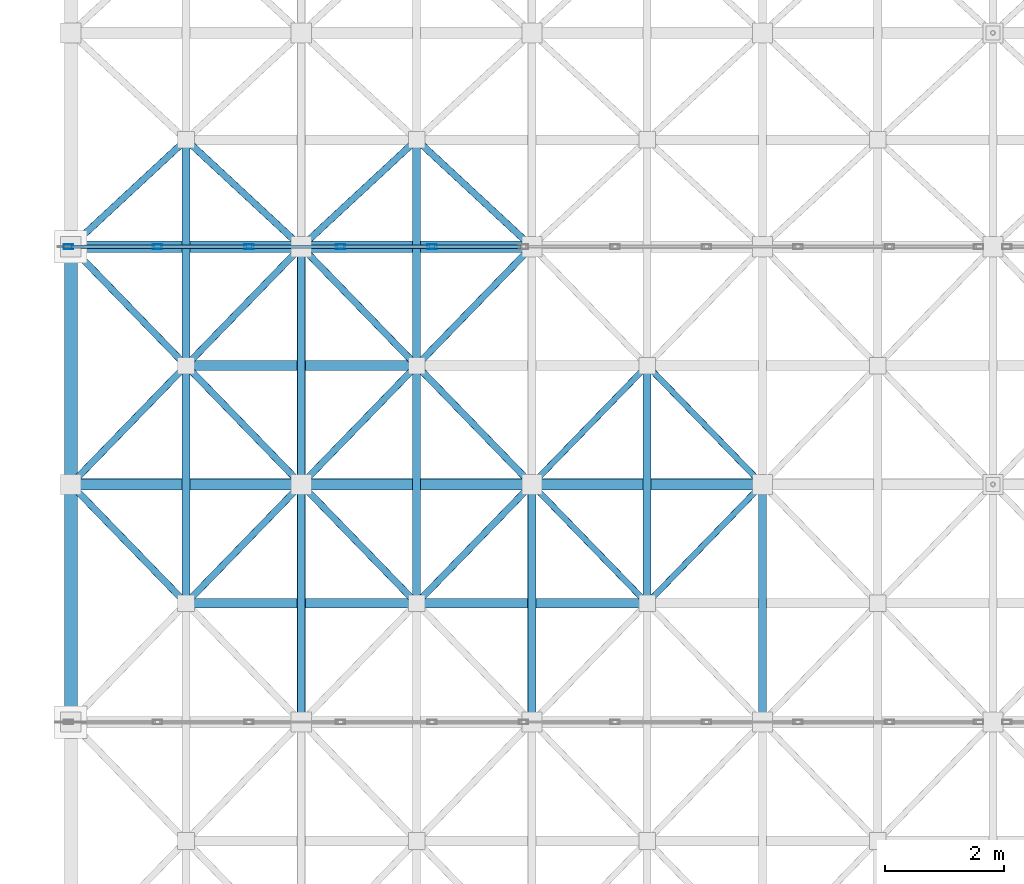
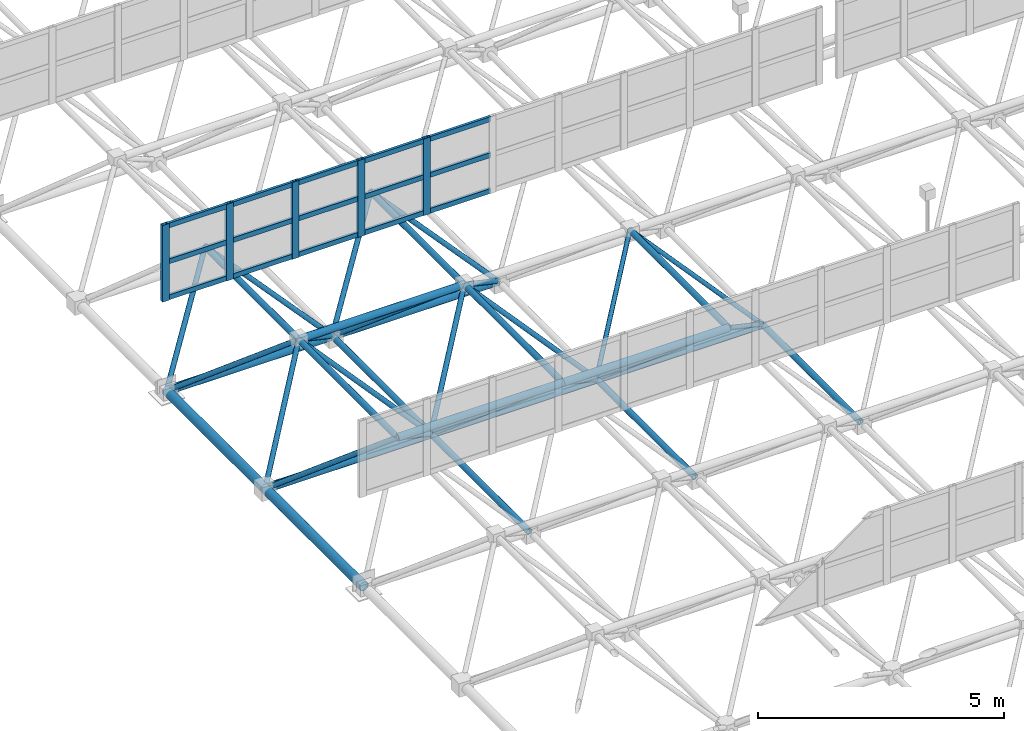
# One storey, part 84 of 195: 59 members, 1 element without a shape of its own.
"""IFC4 building model written with IfcOpenShell, lengths in metres."""

from ifc_helpers import new_model, si_unit, direction, frame, origin, origin_2d, place, context, subcontext, project, spatial, hollow_rectangle, hollow_circle, extrude, material, material_profile, profile_set, type_object, element, aggregate, save


model = new_model("IFC4")

# Units and contexts
model_context = context("Model", 3, precision=1e-05, world=origin(), true_north=direction((0.0, 1.0)))
body_context = subcontext(model_context, "Body", "Model", "MODEL_VIEW")
ifc_project = project(units=[si_unit("LENGTHUNIT", "METRE"), si_unit("AREAUNIT", "SQUARE_METRE"), si_unit("VOLUMEUNIT", "CUBIC_METRE"), si_unit("PLANEANGLEUNIT", "RADIAN"), si_unit("MASSUNIT", "GRAM", prefix="KILO")], contexts=[model_context])

# Site, building, storey
site_placement = place(None, origin())
site = spatial("IfcSite", under=ifc_project, at=site_placement, CompositionType="ELEMENT")
building_placement = place(site_placement, origin())
building = spatial("IfcBuilding", under=site, at=building_placement, Name="Kharva Crest Polytechnic", CompositionType="ELEMENT")
storey_placement = place(building_placement, frame((0.0, 0.0, 9.0)))
storey = spatial("IfcBuildingStorey", under=building, at=storey_placement, Name="L02", CompositionType="ELEMENT", Elevation=9.0)

# Curtain wall, members
ifc_material_1 = material(Name="Tempered insulated glass", Category="glass")
curtain_wall_type = type_object("IfcCurtainWallType", Name="CW-SYS-NORTHLIGHT", PredefinedType="USERDEFINED", material=ifc_material_1)
curtain_wall_placement = place(storey_placement, origin())
curtain_wall = element("IfcCurtainWall", 1, at=curtain_wall_placement, inside=storey, type_object=curtain_wall_type, Name="L02 Glazed Curtain Wall CW-197", ObjectType="CURTAIN WALL", PredefinedType="USERDEFINED")
ifc_material_2 = material(Name="Steel S355", Category="steel")
ifc_material_profile_1 = material_profile(ifc_material_2, hollow_rectangle(XDim=0.080078125, YDim=0.159912109375, WallThickness=0.0048828125, at=origin_2d()), Name="RHS 160X80X5.0")
ifc_profile_set_1 = profile_set([ifc_material_profile_1], Name="Steel S355")
member_type_1 = type_object("IfcMemberType", Name="CWM-RHS160X80", PredefinedType="MULLION", material=ifc_profile_set_1)
member_1_placement = place(storey_placement, frame((0.43994140625, 78.800048828125, 2.85009765625), z_axis=(0.0, 0.0, 1.0), x_axis=(0.0, 1.0, 0.0)))
member_1 = element("IfcMember", 2, at=member_1_placement, type_object=member_type_1, Name="CW-197 mullion 1", PredefinedType="MULLION", context=body_context, shape_type="SweptSolid", body=[
    extrude(hollow_rectangle(XDim=0.080078125, YDim=0.159912109375, WallThickness=0.0048828125, at=origin_2d()), origin(), (0.0, 0.0, 1.0), 1.89990234375),
])
member_2_placement = place(storey_placement, frame((1.93994140625, 78.800048828125, 2.85009765625), z_axis=(0.0, 0.0, 1.0), x_axis=(0.0, 1.0, 0.0)))
member_2 = element("IfcMember", 3, at=member_2_placement, type_object=member_type_1, Name="CW-197 mullion 2", PredefinedType="MULLION", context=body_context, shape_type="SweptSolid", body=[
    extrude(hollow_rectangle(XDim=0.080078125, YDim=0.159912109375, WallThickness=0.0048828125, at=origin_2d()), origin(), (0.0, 0.0, 1.0), 1.89990234375),
])
member_3_placement = place(storey_placement, frame((3.47998046875, 78.800048828125, 2.85009765625), z_axis=(0.0, 0.0, 1.0), x_axis=(0.0, 1.0, 0.0)))
member_3 = element("IfcMember", 4, at=member_3_placement, type_object=member_type_1, Name="CW-197 mullion 3", PredefinedType="MULLION", context=body_context, shape_type="SweptSolid", body=[
    extrude(hollow_rectangle(XDim=0.080078125, YDim=0.159912109375, WallThickness=0.0048828125, at=origin_2d()), origin(), (0.0, 0.0, 1.0), 1.89990234375),
])
member_4_placement = place(storey_placement, frame((5.02001953125, 78.800048828125, 2.85009765625), z_axis=(0.0, 0.0, 1.0), x_axis=(0.0, 1.0, 0.0)))
member_4 = element("IfcMember", 5, at=member_4_placement, type_object=member_type_1, Name="CW-197 mullion 4", PredefinedType="MULLION", context=body_context, shape_type="SweptSolid", body=[
    extrude(hollow_rectangle(XDim=0.080078125, YDim=0.159912109375, WallThickness=0.0048828125, at=origin_2d()), origin(), (0.0, 0.0, 1.0), 1.89990234375),
])
member_5_placement = place(storey_placement, frame((6.56005859375, 78.800048828125, 2.85009765625), z_axis=(0.0, 0.0, 1.0), x_axis=(0.0, 1.0, 0.0)))
member_5 = element("IfcMember", 6, at=member_5_placement, type_object=member_type_1, Name="CW-197 mullion 5", PredefinedType="MULLION", context=body_context, shape_type="SweptSolid", body=[
    extrude(hollow_rectangle(XDim=0.080078125, YDim=0.159912109375, WallThickness=0.0048828125, at=origin_2d()), origin(), (0.0, 0.0, 1.0), 1.89990234375),
])
ifc_material_profile_2 = material_profile(ifc_material_2, hollow_rectangle(XDim=0.06005859375, YDim=0.1201171875, WallThickness=0.00390625, at=origin_2d()), Name="RHS 120X60X4.0")
ifc_profile_set_2 = profile_set([ifc_material_profile_2], Name="Steel S355")
member_type_2 = type_object("IfcMemberType", Name="CWT-RHS120X60", PredefinedType="USERDEFINED", material=ifc_profile_set_2)
member_6_placement = place(storey_placement, frame((0.47998046875, 78.800048828125, 2.909912109375), z_axis=(1.0, 0.0, 0.0), x_axis=(0.0, 1.0, 0.0)))
member_6 = element("IfcMember", 7, at=member_6_placement, type_object=member_type_2, Name="CW-197 transom 1.1", ObjectType="TRANSOM", PredefinedType="USERDEFINED", context=body_context, shape_type="SweptSolid", body=[
    extrude(hollow_rectangle(XDim=0.06005859375, YDim=0.1201171875, WallThickness=0.00390625, at=origin_2d()), origin(), (0.0, 0.0, 1.0), 1.419921875),
])
member_7_placement = place(storey_placement, frame((0.47998046875, 78.800048828125, 3.800048828125), z_axis=(1.0, 0.0, 0.0), x_axis=(0.0, 1.0, 0.0)))
member_7 = element("IfcMember", 8, at=member_7_placement, type_object=member_type_2, Name="CW-197 transom 1.2", ObjectType="TRANSOM", PredefinedType="USERDEFINED", context=body_context, shape_type="SweptSolid", body=[
    extrude(hollow_rectangle(XDim=0.06005859375, YDim=0.1201171875, WallThickness=0.00390625, at=origin_2d()), origin(), (0.0, 0.0, 1.0), 1.419921875),
])
member_8_placement = place(storey_placement, frame((0.47998046875, 78.800048828125, 4.68994140625), z_axis=(1.0, 0.0, 0.0), x_axis=(0.0, 1.0, 0.0)))
member_8 = element("IfcMember", 9, at=member_8_placement, type_object=member_type_2, Name="CW-197 transom 1.3", ObjectType="TRANSOM", PredefinedType="USERDEFINED", context=body_context, shape_type="SweptSolid", body=[
    extrude(hollow_rectangle(XDim=0.06005859375, YDim=0.1201171875, WallThickness=0.00390625, at=origin_2d()), origin(), (0.0, 0.0, 1.0), 1.419921875),
])
member_9_placement = place(storey_placement, frame((1.97998046875, 78.800048828125, 2.909912109375), z_axis=(1.0, 0.0, 0.0), x_axis=(0.0, 1.0, 0.0)))
member_9 = element("IfcMember", 10, at=member_9_placement, type_object=member_type_2, Name="CW-197 transom 2.1", ObjectType="TRANSOM", PredefinedType="USERDEFINED", context=body_context, shape_type="SweptSolid", body=[
    extrude(hollow_rectangle(XDim=0.06005859375, YDim=0.1201171875, WallThickness=0.00390625, at=origin_2d()), origin(), (0.0, 0.0, 1.0), 1.4599609375),
])
member_10_placement = place(storey_placement, frame((1.97998046875, 78.800048828125, 3.800048828125), z_axis=(1.0, 0.0, 0.0), x_axis=(0.0, 1.0, 0.0)))
member_10 = element("IfcMember", 11, at=member_10_placement, type_object=member_type_2, Name="CW-197 transom 2.2", ObjectType="TRANSOM", PredefinedType="USERDEFINED", context=body_context, shape_type="SweptSolid", body=[
    extrude(hollow_rectangle(XDim=0.06005859375, YDim=0.1201171875, WallThickness=0.00390625, at=origin_2d()), origin(), (0.0, 0.0, 1.0), 1.4599609375),
])
member_11_placement = place(storey_placement, frame((1.97998046875, 78.800048828125, 4.68994140625), z_axis=(1.0, 0.0, 0.0), x_axis=(0.0, 1.0, 0.0)))
member_11 = element("IfcMember", 12, at=member_11_placement, type_object=member_type_2, Name="CW-197 transom 2.3", ObjectType="TRANSOM", PredefinedType="USERDEFINED", context=body_context, shape_type="SweptSolid", body=[
    extrude(hollow_rectangle(XDim=0.06005859375, YDim=0.1201171875, WallThickness=0.00390625, at=origin_2d()), origin(), (0.0, 0.0, 1.0), 1.4599609375),
])
member_12_placement = place(storey_placement, frame((3.52001953125, 78.800048828125, 2.909912109375), z_axis=(1.0, 0.0, 0.0), x_axis=(0.0, 1.0, 0.0)))
member_12 = element("IfcMember", 13, at=member_12_placement, type_object=member_type_2, Name="CW-197 transom 3.1", ObjectType="TRANSOM", PredefinedType="USERDEFINED", context=body_context, shape_type="SweptSolid", body=[
    extrude(hollow_rectangle(XDim=0.06005859375, YDim=0.1201171875, WallThickness=0.00390625, at=origin_2d()), origin(), (0.0, 0.0, 1.0), 1.4599609375),
])
member_13_placement = place(storey_placement, frame((3.52001953125, 78.800048828125, 3.800048828125), z_axis=(1.0, 0.0, 0.0), x_axis=(0.0, 1.0, 0.0)))
member_13 = element("IfcMember", 14, at=member_13_placement, type_object=member_type_2, Name="CW-197 transom 3.2", ObjectType="TRANSOM", PredefinedType="USERDEFINED", context=body_context, shape_type="SweptSolid", body=[
    extrude(hollow_rectangle(XDim=0.06005859375, YDim=0.1201171875, WallThickness=0.00390625, at=origin_2d()), origin(), (0.0, 0.0, 1.0), 1.4599609375),
])
member_14_placement = place(storey_placement, frame((3.52001953125, 78.800048828125, 4.68994140625), z_axis=(1.0, 0.0, 0.0), x_axis=(0.0, 1.0, 0.0)))
member_14 = element("IfcMember", 15, at=member_14_placement, type_object=member_type_2, Name="CW-197 transom 3.3", ObjectType="TRANSOM", PredefinedType="USERDEFINED", context=body_context, shape_type="SweptSolid", body=[
    extrude(hollow_rectangle(XDim=0.06005859375, YDim=0.1201171875, WallThickness=0.00390625, at=origin_2d()), origin(), (0.0, 0.0, 1.0), 1.4599609375),
])
member_15_placement = place(storey_placement, frame((5.06005859375, 78.800048828125, 2.909912109375), z_axis=(1.0, 0.0, 0.0), x_axis=(0.0, 1.0, 0.0)))
member_15 = element("IfcMember", 16, at=member_15_placement, type_object=member_type_2, Name="CW-197 transom 4.1", ObjectType="TRANSOM", PredefinedType="USERDEFINED", context=body_context, shape_type="SweptSolid", body=[
    extrude(hollow_rectangle(XDim=0.06005859375, YDim=0.1201171875, WallThickness=0.00390625, at=origin_2d()), origin(), (0.0, 0.0, 1.0), 1.4599609375),
])
member_16_placement = place(storey_placement, frame((5.06005859375, 78.800048828125, 3.800048828125), z_axis=(1.0, 0.0, 0.0), x_axis=(0.0, 1.0, 0.0)))
member_16 = element("IfcMember", 17, at=member_16_placement, type_object=member_type_2, Name="CW-197 transom 4.2", ObjectType="TRANSOM", PredefinedType="USERDEFINED", context=body_context, shape_type="SweptSolid", body=[
    extrude(hollow_rectangle(XDim=0.06005859375, YDim=0.1201171875, WallThickness=0.00390625, at=origin_2d()), origin(), (0.0, 0.0, 1.0), 1.4599609375),
])
member_17_placement = place(storey_placement, frame((5.06005859375, 78.800048828125, 4.68994140625), z_axis=(1.0, 0.0, 0.0), x_axis=(0.0, 1.0, 0.0)))
member_17 = element("IfcMember", 18, at=member_17_placement, type_object=member_type_2, Name="CW-197 transom 4.3", ObjectType="TRANSOM", PredefinedType="USERDEFINED", context=body_context, shape_type="SweptSolid", body=[
    extrude(hollow_rectangle(XDim=0.06005859375, YDim=0.1201171875, WallThickness=0.00390625, at=origin_2d()), origin(), (0.0, 0.0, 1.0), 1.4599609375),
])
member_18_placement = place(storey_placement, frame((6.60009765625, 78.800048828125, 2.909912109375), z_axis=(1.0, 0.0, 0.0), x_axis=(0.0, 1.0, 0.0)))
member_18 = element("IfcMember", 19, at=member_18_placement, type_object=member_type_2, Name="CW-197 transom 5.1", ObjectType="TRANSOM", PredefinedType="USERDEFINED", context=body_context, shape_type="SweptSolid", body=[
    extrude(hollow_rectangle(XDim=0.06005859375, YDim=0.1201171875, WallThickness=0.00390625, at=origin_2d()), origin(), (0.0, 0.0, 1.0), 1.4599609375),
])
member_19_placement = place(storey_placement, frame((6.60009765625, 78.800048828125, 3.800048828125), z_axis=(1.0, 0.0, 0.0), x_axis=(0.0, 1.0, 0.0)))
member_19 = element("IfcMember", 20, at=member_19_placement, type_object=member_type_2, Name="CW-197 transom 5.2", ObjectType="TRANSOM", PredefinedType="USERDEFINED", context=body_context, shape_type="SweptSolid", body=[
    extrude(hollow_rectangle(XDim=0.06005859375, YDim=0.1201171875, WallThickness=0.00390625, at=origin_2d()), origin(), (0.0, 0.0, 1.0), 1.4599609375),
])
member_20_placement = place(storey_placement, frame((6.60009765625, 78.800048828125, 4.68994140625), z_axis=(1.0, 0.0, 0.0), x_axis=(0.0, 1.0, 0.0)))
member_20 = element("IfcMember", 21, at=member_20_placement, type_object=member_type_2, Name="CW-197 transom 5.3", ObjectType="TRANSOM", PredefinedType="USERDEFINED", context=body_context, shape_type="SweptSolid", body=[
    extrude(hollow_rectangle(XDim=0.06005859375, YDim=0.1201171875, WallThickness=0.00390625, at=origin_2d()), origin(), (0.0, 0.0, 1.0), 1.4599609375),
])
aggregate(curtain_wall, [member_1, member_2, member_3, member_4, member_5, member_6, member_7, member_8, member_9, member_10, member_11, member_12, member_13, member_14, member_15, member_16, member_17, member_18, member_19, member_20])

# Members
ifc_material_profile_3 = material_profile(ifc_material_2, hollow_circle(Radius=0.05078125, WallThickness=0.0048828125, at=origin_2d()), Name="CHS 101.6X5.0")
ifc_profile_set_3 = profile_set([ifc_material_profile_3], Name="Steel S355")
member_type_3 = type_object("IfcMemberType", Name="MEM-CHS101", PredefinedType="BRACE", material=ifc_profile_set_3)
for number, where, z_axis, x_axis, name in (
    (22, (8.239990234375, 74.800048828125, 0.60009765625), (0.584843378742, -0.602949529154, 0.542595694449), (0.717802189577, 0.696247094528, 0.0), "Space Frame Web Diagonal 595"),
    (23, (12.1201171875, 74.800048828125, 0.60009765625), (-0.584891802813, -0.602923574763, 0.542572338032), (0.717758400015, -0.696292236929, 0.0), "Space Frame Web Diagonal 596"),
    (24, (8.239990234375, 74.800048828125, 0.60009765625), (0.584843378742, 0.602949529154, 0.542595694449), (-0.717802189577, 0.696247094528, 0.0), "Space Frame Web Diagonal 597"),
    (25, (12.1201171875, 74.800048828125, 0.60009765625), (-0.584891802813, 0.602923574763, 0.542572338032), (-0.717758400015, -0.696292236929, 0.0), "Space Frame Web Diagonal 598"),
):
    element("IfcMember", number, at=place(storey_placement, frame(where, z_axis=z_axis, x_axis=x_axis)), inside=storey, type_object=member_type_3, Name=name, PredefinedType="BRACE", context=body_context, shape_type="SweptSolid", body=[
        extrude(hollow_circle(Radius=0.05078125, WallThickness=0.0048828125, at=origin_2d()), origin(), (0.0, 0.0, 1.0), 3.317138671875),
    ])
ifc_material_profile_4 = material_profile(ifc_material_2, hollow_circle(Radius=0.05712890625, WallThickness=0.00634765625, at=origin_2d()), Name="CHS 114.3X6.3")
ifc_profile_set_4 = profile_set([ifc_material_profile_4], Name="Steel S355")
member_type_4 = type_object("IfcMemberType", Name="MEM-CHS114", PredefinedType="BRACE", material=ifc_profile_set_4)
for number, where, z_axis, x_axis, name in (
    (26, (0.47998046875, 74.800048828125, 0.60009765625), (0.584843378742, -0.602949529154, 0.542595694449), (0.717802189577, 0.696247094528, 0.0), "Space Frame Web Diagonal 483"),
    (27, (4.360107421875, 74.800048828125, 0.60009765625), (-0.584891802813, -0.602923574763, 0.542572338032), (0.717758400015, -0.696292236929, 0.0), "Space Frame Web Diagonal 484"),
    (28, (0.47998046875, 74.800048828125, 0.60009765625), (0.584843378742, 0.602949529154, 0.542595694449), (-0.717802189577, 0.696247094528, 0.0), "Space Frame Web Diagonal 485"),
    (29, (4.360107421875, 74.800048828125, 0.60009765625), (-0.584891802813, 0.602923574763, 0.542572338032), (-0.717758400015, -0.696292236929, 0.0), "Space Frame Web Diagonal 486"),
    (30, (0.47998046875, 78.800048828125, 0.60009765625), (0.584843378742, -0.602949529154, 0.542595694449), (0.717802189577, 0.696247094528, 0.0), "Space Frame Web Diagonal 487"),
    (31, (4.360107421875, 78.800048828125, 0.60009765625), (-0.584891802813, -0.602923574763, 0.542572338032), (0.717758400015, -0.696292236929, 0.0), "Space Frame Web Diagonal 488"),
):
    element("IfcMember", number, at=place(storey_placement, frame(where, z_axis=z_axis, x_axis=x_axis)), inside=storey, type_object=member_type_4, Name=name, PredefinedType="BRACE", context=body_context, shape_type="SweptSolid", body=[
        extrude(hollow_circle(Radius=0.05712890625, WallThickness=0.00634765625, at=origin_2d()), origin(), (0.0, 0.0, 1.0), 3.317138671875),
    ])
member_21_placement = place(storey_placement, frame((0.47998046875, 78.800048828125, 0.60009765625), z_axis=(0.606147481159, 0.562437122903, 0.562360839555), x_axis=(-0.680182129432, 0.73304315753, 0.0)))
element("IfcMember", 32, at=member_21_placement, inside=storey, type_object=member_type_4, Name="Space Frame Web Diagonal 489", PredefinedType="BRACE", context=body_context, shape_type="SweptSolid", body=[
    extrude(hollow_circle(Radius=0.05712890625, WallThickness=0.00634765625, at=origin_2d()), origin(), (0.0, 0.0, 1.0), 3.200439453125),
])
member_22_placement = place(storey_placement, frame((4.360107421875, 78.800048828125, 0.60009765625), z_axis=(-0.606195733531, 0.562411116563, 0.562334836743), x_axis=(-0.680136133543, -0.733085833889, 0.0)))
element("IfcMember", 33, at=member_22_placement, inside=storey, type_object=member_type_4, Name="Space Frame Web Diagonal 490", PredefinedType="BRACE", context=body_context, shape_type="SweptSolid", body=[
    extrude(hollow_circle(Radius=0.05712890625, WallThickness=0.00634765625, at=origin_2d()), origin(), (0.0, 0.0, 1.0), 3.20068359375),
])
for number, where, z_axis, x_axis, name in (
    (34, (4.360107421875, 74.800048828125, 0.60009765625), (0.584843378742, -0.602949529154, 0.542595694449), (0.717802189577, 0.696247094528, 0.0), "Space Frame Web Diagonal 539"),
    (35, (8.239990234375, 74.800048828125, 0.60009765625), (-0.584843378742, -0.602949529154, 0.542595694449), (0.717802189577, -0.696247094528, 0.0), "Space Frame Web Diagonal 540"),
    (36, (4.360107421875, 74.800048828125, 0.60009765625), (0.584843378742, 0.602949529154, 0.542595694449), (-0.717802189577, 0.696247094528, 0.0), "Space Frame Web Diagonal 541"),
    (37, (8.239990234375, 74.800048828125, 0.60009765625), (-0.584843378742, 0.602949529154, 0.542595694449), (-0.717802189577, -0.696247094528, 0.0), "Space Frame Web Diagonal 542"),
    (38, (4.360107421875, 78.800048828125, 0.60009765625), (0.584843378742, -0.602949529154, 0.542595694449), (0.717802189577, 0.696247094528, 0.0), "Space Frame Web Diagonal 543"),
    (39, (8.239990234375, 78.800048828125, 0.60009765625), (-0.584843378742, -0.602949529154, 0.542595694449), (0.717802189577, -0.696247094528, 0.0), "Space Frame Web Diagonal 544"),
):
    element("IfcMember", number, at=place(storey_placement, frame(where, z_axis=z_axis, x_axis=x_axis)), inside=storey, type_object=member_type_4, Name=name, PredefinedType="BRACE", context=body_context, shape_type="SweptSolid", body=[
        extrude(hollow_circle(Radius=0.05712890625, WallThickness=0.00634765625, at=origin_2d()), origin(), (0.0, 0.0, 1.0), 3.317138671875),
    ])
for number, where, z_axis, x_axis, name in (
    (40, (4.360107421875, 78.800048828125, 0.60009765625), (0.606147481159, 0.562437122903, 0.562360839555), (-0.680182129432, 0.73304315753, 0.0), "Space Frame Web Diagonal 545"),
    (41, (8.239990234375, 78.800048828125, 0.60009765625), (-0.606147481159, 0.562437122903, 0.562360839555), (-0.680182129432, -0.73304315753, 0.0), "Space Frame Web Diagonal 546"),
):
    element("IfcMember", number, at=place(storey_placement, frame(where, z_axis=z_axis, x_axis=x_axis)), inside=storey, type_object=member_type_4, Name=name, PredefinedType="BRACE", context=body_context, shape_type="SweptSolid", body=[
        extrude(hollow_circle(Radius=0.05712890625, WallThickness=0.00634765625, at=origin_2d()), origin(), (0.0, 0.0, 1.0), 3.200439453125),
    ])
ifc_material_profile_5 = material_profile(ifc_material_2, hollow_circle(Radius=0.06982421875, WallThickness=0.00634765625, at=origin_2d()), Name="CHS 139.7X6.3")
ifc_profile_set_5 = profile_set([ifc_material_profile_5], Name="Steel S355")
member_type_5 = type_object("IfcMemberType", Name="MEM-CHS139", PredefinedType="CHORD", material=ifc_profile_set_5)
for number, where, z_axis, x_axis, name in (
    (42, (4.360107421875, 70.800048828125, 0.60009765625), (0.0, 1.0, 0.0), (-1.0, 0.0, 0.0), "Space Frame Bottom Chord Y 143"),
    (43, (4.360107421875, 74.800048828125, 0.60009765625), (0.0, 1.0, 0.0), (-1.0, 0.0, 0.0), "Space Frame Bottom Chord Y 144"),
    (44, (8.239990234375, 70.800048828125, 0.60009765625), (0.0, 1.0, 0.0), (-1.0, 0.0, 0.0), "Space Frame Bottom Chord Y 157"),
    (45, (12.1201171875, 70.800048828125, 0.60009765625), (0.0, 1.0, 0.0), (-1.0, 0.0, 0.0), "Space Frame Bottom Chord Y 171"),
    (46, (2.419921875, 72.800048828125, 2.39990234375), (0.0, 1.0, 0.0), (-1.0, 0.0, 0.0), "Space Frame Top Chord Y 353"),
):
    element("IfcMember", number, at=place(storey_placement, frame(where, z_axis=z_axis, x_axis=x_axis)), inside=storey, type_object=member_type_5, Name=name, PredefinedType="CHORD", context=body_context, shape_type="SweptSolid", body=[
        extrude(hollow_circle(Radius=0.06982421875, WallThickness=0.00634765625, at=origin_2d()), origin(), (0.0, 0.0, 1.0), 4.0),
    ])
member_23_placement = place(storey_placement, frame((2.419921875, 76.800048828125, 2.39990234375), z_axis=(0.0, 1.0, 0.0), x_axis=(-1.0, 0.0, 0.0)))
element("IfcMember", 47, at=member_23_placement, inside=storey, type_object=member_type_5, Name="Space Frame Top Chord Y 354", PredefinedType="CHORD", context=body_context, shape_type="SweptSolid", body=[
    extrude(hollow_circle(Radius=0.06982421875, WallThickness=0.00634765625, at=origin_2d()), origin(), (0.0, 0.0, 1.0), 3.800048828125),
])
member_24_placement = place(storey_placement, frame((6.300048828125, 72.800048828125, 2.39990234375), z_axis=(0.0, 1.0, 0.0), x_axis=(-1.0, 0.0, 0.0)))
element("IfcMember", 48, at=member_24_placement, inside=storey, type_object=member_type_5, Name="Space Frame Top Chord Y 366", PredefinedType="CHORD", context=body_context, shape_type="SweptSolid", body=[
    extrude(hollow_circle(Radius=0.06982421875, WallThickness=0.00634765625, at=origin_2d()), origin(), (0.0, 0.0, 1.0), 4.0),
])
member_25_placement = place(storey_placement, frame((6.300048828125, 76.800048828125, 2.39990234375), z_axis=(0.0, 1.0, 0.0), x_axis=(-1.0, 0.0, 0.0)))
element("IfcMember", 49, at=member_25_placement, inside=storey, type_object=member_type_5, Name="Space Frame Top Chord Y 367", PredefinedType="CHORD", context=body_context, shape_type="SweptSolid", body=[
    extrude(hollow_circle(Radius=0.06982421875, WallThickness=0.00634765625, at=origin_2d()), origin(), (0.0, 0.0, 1.0), 3.800048828125),
])
member_26_placement = place(storey_placement, frame((10.179931640625, 72.800048828125, 2.39990234375), z_axis=(0.0, 1.0, 0.0), x_axis=(-1.0, 0.0, 0.0)))
element("IfcMember", 50, at=member_26_placement, inside=storey, type_object=member_type_5, Name="Space Frame Top Chord Y 379", PredefinedType="CHORD", context=body_context, shape_type="SweptSolid", body=[
    extrude(hollow_circle(Radius=0.06982421875, WallThickness=0.00634765625, at=origin_2d()), origin(), (0.0, 0.0, 1.0), 4.0),
])
ifc_material_profile_6 = material_profile(ifc_material_2, hollow_circle(Radius=0.084228515625, WallThickness=0.008056640625, at=origin_2d()), Name="CHS 168.3X8.0")
ifc_profile_set_6 = profile_set([ifc_material_profile_6], Name="Steel S355")
member_type_6 = type_object("IfcMemberType", Name="MEM-CHS168", PredefinedType="CHORD", material=ifc_profile_set_6)
member_27_placement = place(storey_placement, frame((2.419921875, 72.800048828125, 2.39990234375), z_axis=(1.0, 0.0, 0.0), x_axis=(0.0, 1.0, 0.0)))
element("IfcMember", 51, at=member_27_placement, inside=storey, type_object=member_type_6, Name="Space Frame Top Chord X 303", PredefinedType="CHORD", context=body_context, shape_type="SweptSolid", body=[
    extrude(hollow_circle(Radius=0.084228515625, WallThickness=0.008056640625, at=origin_2d()), origin(), (0.0, 0.0, 1.0), 3.880126953125),
])
member_28_placement = place(storey_placement, frame((6.300048828125, 72.800048828125, 2.39990234375), z_axis=(1.0, 0.0, 0.0), x_axis=(0.0, 1.0, 0.0)))
element("IfcMember", 52, at=member_28_placement, inside=storey, type_object=member_type_6, Name="Space Frame Top Chord X 304", PredefinedType="CHORD", context=body_context, shape_type="SweptSolid", body=[
    extrude(hollow_circle(Radius=0.084228515625, WallThickness=0.008056640625, at=origin_2d()), origin(), (0.0, 0.0, 1.0), 3.8798828125),
])
member_29_placement = place(storey_placement, frame((2.419921875, 76.800048828125, 2.39990234375), z_axis=(1.0, 0.0, 0.0), x_axis=(0.0, 1.0, 0.0)))
element("IfcMember", 53, at=member_29_placement, inside=storey, type_object=member_type_6, Name="Space Frame Top Chord X 310", PredefinedType="CHORD", context=body_context, shape_type="SweptSolid", body=[
    extrude(hollow_circle(Radius=0.084228515625, WallThickness=0.008056640625, at=origin_2d()), origin(), (0.0, 0.0, 1.0), 3.880126953125),
])
ifc_material_profile_7 = material_profile(ifc_material_2, hollow_circle(Radius=0.096923828125, WallThickness=0.008056640625, at=origin_2d()), Name="CHS 193.7X8.0")
ifc_profile_set_7 = profile_set([ifc_material_profile_7], Name="Steel S355")
member_type_7 = type_object("IfcMemberType", Name="MEM-CHS193", PredefinedType="CHORD", material=ifc_profile_set_7)
member_30_placement = place(storey_placement, frame((0.47998046875, 74.800048828125, 0.60009765625), z_axis=(1.0, 0.0, 0.0), x_axis=(0.0, 1.0, 0.0)))
element("IfcMember", 54, at=member_30_placement, inside=storey, type_object=member_type_7, Name="Space Frame Bottom Chord X 73", PredefinedType="CHORD", context=body_context, shape_type="SweptSolid", body=[
    extrude(hollow_circle(Radius=0.096923828125, WallThickness=0.008056640625, at=origin_2d()), origin(), (0.0, 0.0, 1.0), 3.880126953125),
])
member_31_placement = place(storey_placement, frame((4.360107421875, 74.800048828125, 0.60009765625), z_axis=(1.0, 0.0, 0.0), x_axis=(0.0, 1.0, 0.0)))
element("IfcMember", 55, at=member_31_placement, inside=storey, type_object=member_type_7, Name="Space Frame Bottom Chord X 74", PredefinedType="CHORD", context=body_context, shape_type="SweptSolid", body=[
    extrude(hollow_circle(Radius=0.096923828125, WallThickness=0.008056640625, at=origin_2d()), origin(), (0.0, 0.0, 1.0), 3.8798828125),
])
for number, where, z_axis, x_axis, name in (
    (56, (8.239990234375, 74.800048828125, 0.60009765625), (1.0, 0.0, 0.0), (0.0, 1.0, 0.0), "Space Frame Bottom Chord X 75"),
    (57, (0.47998046875, 78.800048828125, 0.60009765625), (1.0, 0.0, 0.0), (0.0, 1.0, 0.0), "Space Frame Bottom Chord X 81"),
):
    element("IfcMember", number, at=place(storey_placement, frame(where, z_axis=z_axis, x_axis=x_axis)), inside=storey, type_object=member_type_7, Name=name, PredefinedType="CHORD", context=body_context, shape_type="SweptSolid", body=[
        extrude(hollow_circle(Radius=0.096923828125, WallThickness=0.008056640625, at=origin_2d()), origin(), (0.0, 0.0, 1.0), 3.880126953125),
    ])
member_32_placement = place(storey_placement, frame((4.360107421875, 78.800048828125, 0.60009765625), z_axis=(1.0, 0.0, 0.0), x_axis=(0.0, 1.0, 0.0)))
element("IfcMember", 58, at=member_32_placement, inside=storey, type_object=member_type_7, Name="Space Frame Bottom Chord X 82", PredefinedType="CHORD", context=body_context, shape_type="SweptSolid", body=[
    extrude(hollow_circle(Radius=0.096923828125, WallThickness=0.008056640625, at=origin_2d()), origin(), (0.0, 0.0, 1.0), 3.8798828125),
])
ifc_material_profile_8 = material_profile(ifc_material_2, hollow_circle(Radius=0.109619140625, WallThickness=0.010009765625, at=origin_2d()), Name="CHS 219.1X10.0")
ifc_profile_set_8 = profile_set([ifc_material_profile_8], Name="Steel S355")
member_type_8 = type_object("IfcMemberType", Name="MEM-CHS219", PredefinedType="CHORD", material=ifc_profile_set_8)
for number, where, z_axis, x_axis, name in (
    (59, (0.47998046875, 70.800048828125, 0.60009765625), (0.0, 1.0, 0.0), (-1.0, 0.0, 0.0), "Space Frame Bottom Chord Y 129"),
    (60, (0.47998046875, 74.800048828125, 0.60009765625), (0.0, 1.0, 0.0), (-1.0, 0.0, 0.0), "Space Frame Bottom Chord Y 130"),
):
    element("IfcMember", number, at=place(storey_placement, frame(where, z_axis=z_axis, x_axis=x_axis)), inside=storey, type_object=member_type_8, Name=name, PredefinedType="CHORD", context=body_context, shape_type="SweptSolid", body=[
        extrude(hollow_circle(Radius=0.109619140625, WallThickness=0.010009765625, at=origin_2d()), origin(), (0.0, 0.0, 1.0), 4.0),
    ])

save(model, "model.ifc")
